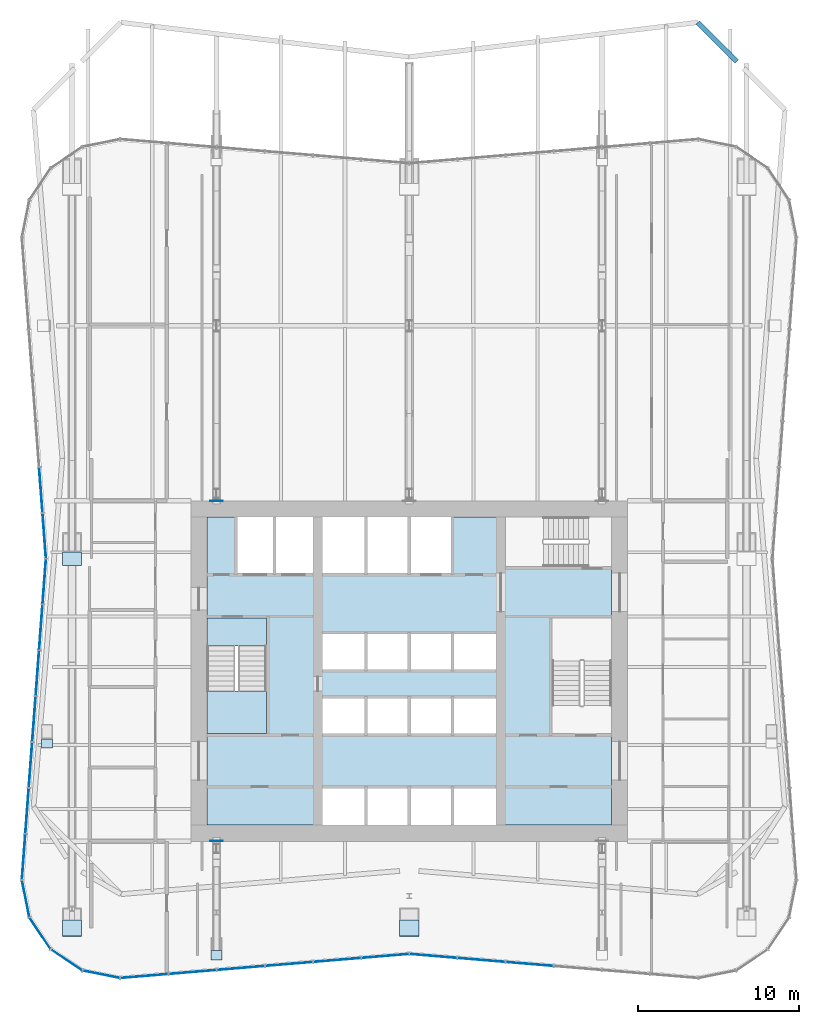
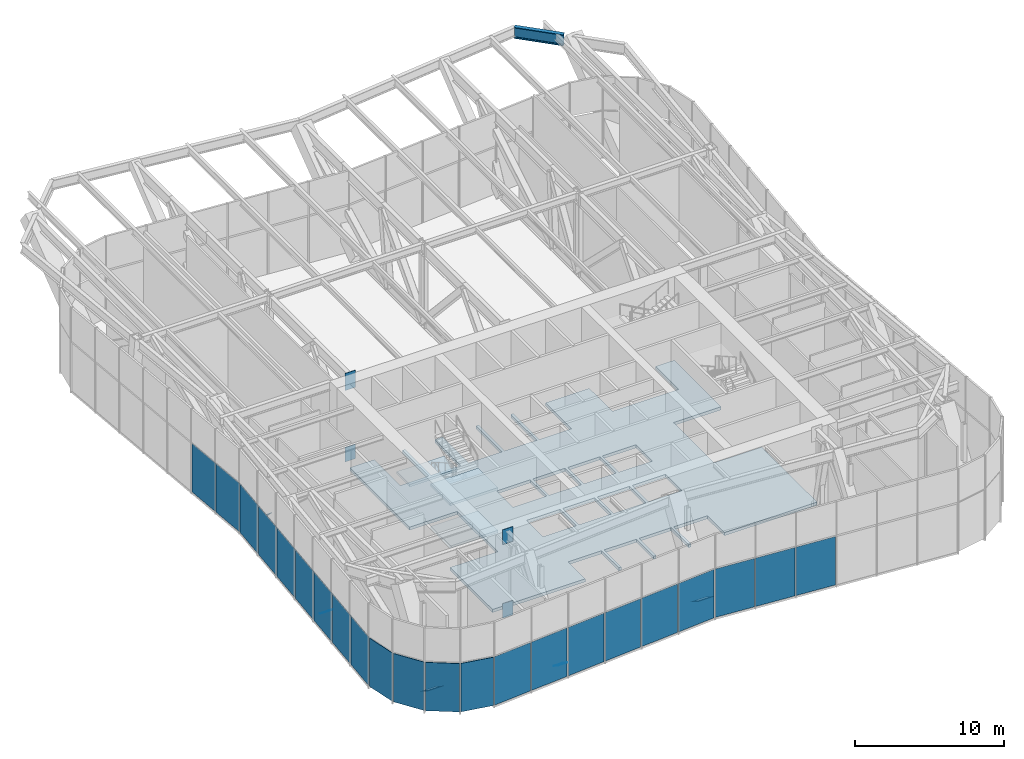
# One storey, part 8 of 16: 31 plates, 4 slabs, 1 beam, 4 elements without a shape of their own.
"""IFC4 building model written with IfcOpenShell, lengths in metres."""

from ifc_helpers import new_model, si_unit, direction, frame, origin, origin_2d, place, context, subcontext, project, spatial, polyline, rectangle, i_section, outline, extrude, material, layer, layer_set, material_profile, profile_set, type_object, element, aggregate, save


model = new_model("IFC4")

# Units and contexts
model_context = context("Model", 3, precision=1e-05, world=origin(), true_north=direction((0.0, 1.0)))
body_context = subcontext(model_context, "Body", "Model", "MODEL_VIEW")
ifc_project = project(units=[si_unit("LENGTHUNIT", "METRE"), si_unit("AREAUNIT", "SQUARE_METRE"), si_unit("VOLUMEUNIT", "CUBIC_METRE"), si_unit("PLANEANGLEUNIT", "RADIAN"), si_unit("MASSUNIT", "GRAM", prefix="KILO")], contexts=[model_context])

# Site, building, storey
site_placement = place(None, origin())
site = spatial("IfcSite", under=ifc_project, at=site_placement, CompositionType="ELEMENT")
building_placement = place(site_placement, origin())
building = spatial("IfcBuilding", under=site, at=building_placement, Name="Verdant Reach Tower", CompositionType="ELEMENT")
storey_placement = place(building_placement, frame((0.0, 0.0, 170.0)))
storey = spatial("IfcBuildingStorey", under=building, at=storey_placement, Name="L39 Plant", CompositionType="ELEMENT", Elevation=170.0)

# Beam
ifc_material_1 = material(Name="Steel S355", Category="steel")
ifc_material_profile = material_profile(ifc_material_1, i_section(OverallWidth=0.302001953125, OverallDepth=0.909912109375, WebThickness=0.02099609375, FlangeThickness=0.0400390625, FilletRadius=0.030029296875, at=origin_2d()), Name="HEM 900")
ifc_profile_set = profile_set([ifc_material_profile], Name="Steel S355")
beam_type = type_object("IfcBeamType", Name="ST-SPANDREL-HEM900", PredefinedType="SPANDREL", material=ifc_profile_set)
beam_placement = place(storey_placement, frame((17.9658203125, 68.39501953125, 6.4150390625), z_axis=(0.706858592704, -0.707354882588, 0.0), x_axis=(0.707354882588, 0.706858592704, 0.0)))
element("IfcBeam", 1, at=beam_placement, inside=storey, type_object=beam_type, Name="Edge beam, L39 Plant", PredefinedType="SPANDREL", context=body_context, shape_type="SweptSolid", body=[
    extrude(i_section(OverallWidth=0.302001953125, OverallDepth=0.909912109375, WebThickness=0.02099609375, FlangeThickness=0.0400390625, FilletRadius=0.030029296875, at=origin_2d()), origin(), (0.0, 0.0, 1.0), 3.443603515625),
])

# Stair, slabs
ifc_material_2 = material(Name="Concrete C40/50", Category="concrete")
stair_type = type_object("IfcStairType", Name="CO-STAIR", PredefinedType="HALF_TURN_STAIR", material=ifc_material_2)
stair_placement = place(storey_placement, origin())
stair = element("IfcStair", 2, at=stair_placement, inside=storey, type_object=stair_type, Name="L39 Plant Exit stair 1", PredefinedType="HALF_TURN_STAIR")
ifc_layer_1 = layer(ifc_material_2, 0.199951171875)
ifc_layer_set_1 = layer_set([ifc_layer_1], Name="CO-STAIR-LANDING")
slab_type_1 = type_object("IfcSlabType", Name="CO-STAIR-LANDING", PredefinedType="LANDING", material=ifc_layer_set_1)
slab_1_placement = place(storey_placement, frame((0.0, 0.0, 1.550048828125)))
slab_1 = element("IfcSlab", 3, at=slab_1_placement, type_object=slab_type_1, Name="ST-1 landing 1", PredefinedType="LANDING", context=body_context, shape_type="SweptSolid", body=[
    extrude(outline(polyline([(-12.60009765625, 26.760009765625), (-12.60009765625, 24.10009765625), (-8.89990234375, 24.10009765625), (-8.89990234375, 26.760009765625), (-12.60009765625, 26.760009765625)])), origin(), (0.0, 0.0, 1.0), 0.199951171875),
])
slab_2_placement = place(storey_placement, frame((0.0, 0.0, 3.300048828125)))
slab_2 = element("IfcSlab", 4, at=slab_2_placement, type_object=slab_type_1, Name="ST-1 landing 2", PredefinedType="LANDING", context=body_context, shape_type="SweptSolid", body=[
    extrude(outline(polyline([(-12.60009765625, 31.300048828125), (-12.60009765625, 29.550048828125), (-8.89990234375, 29.550048828125), (-8.89990234375, 31.300048828125), (-12.60009765625, 31.300048828125)])), origin(), (0.0, 0.0, 1.0), 0.199951171875),
])
slab_3_placement = place(storey_placement, frame((0.0, 0.0, 5.050048828125)))
slab_3 = element("IfcSlab", 5, at=slab_3_placement, type_object=slab_type_1, Name="ST-1 landing 3", PredefinedType="LANDING", context=body_context, shape_type="SweptSolid", body=[
    extrude(outline(polyline([(-12.60009765625, 26.760009765625), (-12.60009765625, 24.10009765625), (-8.89990234375, 24.10009765625), (-8.89990234375, 26.760009765625), (-12.60009765625, 26.760009765625)])), origin(), (0.0, 0.0, 1.0), 0.199951171875),
])
aggregate(stair, [slab_1, slab_2, slab_3])

# Curtain wall, plates
ifc_material_3 = material(Name="Anodised aluminium", Category="aluminium")
curtain_wall_type = type_object("IfcCurtainWallType", Name="EN-CW SYSTEM PLANT", PredefinedType="NOTDEFINED", material=ifc_material_3)
curtain_wall_1_placement = place(storey_placement, origin())
curtain_wall_1 = element("IfcCurtainWall", 6, at=curtain_wall_1_placement, inside=storey, type_object=curtain_wall_type, Name="Curtain wall west, L39", PredefinedType="NOTDEFINED")
ifc_material_4 = material(Name="Bronze anodised aluminium solid panel", Category="aluminium")
ifc_layer_2 = layer(ifc_material_4, 0.0400390625)
ifc_layer_set_2 = layer_set([ifc_layer_2], Name="EN-PANEL SOLID")
plate_type_1 = type_object("IfcPlateType", Name="EN-PANEL SOLID", PredefinedType="CURTAIN_PANEL", material=ifc_layer_set_2)
plate_1_placement = place(storey_placement, frame((-22.940185546875, 39.27685546875, -0.199951171875), z_axis=(0.0, 0.0, 1.0), x_axis=(0.074789948245, -0.997199309888, 0.0)))
plate_1 = element("IfcPlate", 7, at=plate_1_placement, type_object=plate_type_1, Name="Solid panel west face part 1 6.1, L39", PredefinedType="CURTAIN_PANEL", context=body_context, shape_type="SweptSolid", body=[
    extrude(rectangle(XDim=2.7890625, YDim=0.0400390625, at=origin_2d()), origin(), (0.0, 0.0, 1.0), 3.97509765625),
])
plate_2_placement = place(storey_placement, frame((-22.72607421875, 36.424072265625, -0.199951171875), z_axis=(0.0, 0.0, 1.0), x_axis=(0.074906305432, -0.997190576272, 0.0)))
plate_2 = element("IfcPlate", 8, at=plate_2_placement, type_object=plate_type_1, Name="Solid panel west face part 1 7.1, L39", PredefinedType="CURTAIN_PANEL", context=body_context, shape_type="SweptSolid", body=[
    extrude(rectangle(XDim=2.7802734375, YDim=0.0400390625, at=origin_2d()), origin(), (0.0, 0.0, 1.0), 3.97509765625),
])
plate_3_placement = place(storey_placement, frame((-22.72607421875, 33.575927734375, -0.199951171875), z_axis=(0.0, 0.0, 1.0), x_axis=(-0.074906305432, -0.997190576272, 0.0)))
plate_3 = element("IfcPlate", 9, at=plate_3_placement, type_object=plate_type_1, Name="Solid panel west face part 2 1.1, L39", PredefinedType="CURTAIN_PANEL", context=body_context, shape_type="SweptSolid", body=[
    extrude(rectangle(XDim=2.7802734375, YDim=0.0400390625, at=origin_2d()), origin(), (0.0, 0.0, 1.0), 3.97509765625),
])
plate_4_placement = place(storey_placement, frame((-22.940185546875, 30.72314453125, -0.199951171875), z_axis=(0.0, 0.0, 1.0), x_axis=(-0.074789948245, -0.997199309888, 0.0)))
plate_4 = element("IfcPlate", 10, at=plate_4_placement, type_object=plate_type_1, Name="Solid panel west face part 2 2.1, L39", PredefinedType="CURTAIN_PANEL", context=body_context, shape_type="SweptSolid", body=[
    extrude(rectangle(XDim=2.7890625, YDim=0.0400390625, at=origin_2d()), origin(), (0.0, 0.0, 1.0), 3.97509765625),
])
plate_5_placement = place(storey_placement, frame((-23.154296875, 27.865966796875, -0.199951171875), z_axis=(0.0, 0.0, 1.0), x_axis=(-0.074789948245, -0.997199309888, 0.0)))
plate_5 = element("IfcPlate", 11, at=plate_5_placement, type_object=plate_type_1, Name="Solid panel west face part 2 3.1, L39", PredefinedType="CURTAIN_PANEL", context=body_context, shape_type="SweptSolid", body=[
    extrude(rectangle(XDim=2.7890625, YDim=0.0400390625, at=origin_2d()), origin(), (0.0, 0.0, 1.0), 3.97509765625),
])
plate_6_placement = place(storey_placement, frame((-23.36865234375, 25.0087890625, -0.199951171875), z_axis=(0.0, 0.0, 1.0), x_axis=(-0.074789948245, -0.997199309888, 0.0)))
plate_6 = element("IfcPlate", 12, at=plate_6_placement, type_object=plate_type_1, Name="Solid panel west face part 2 4.1, L39", PredefinedType="CURTAIN_PANEL", context=body_context, shape_type="SweptSolid", body=[
    extrude(rectangle(XDim=2.7890625, YDim=0.0400390625, at=origin_2d()), origin(), (0.0, 0.0, 1.0), 3.97509765625),
])
plate_7_placement = place(storey_placement, frame((-23.5830078125, 22.15185546875, -0.199951171875), z_axis=(0.0, 0.0, 1.0), x_axis=(-0.074789948245, -0.997199309888, 0.0)))
plate_7 = element("IfcPlate", 13, at=plate_7_placement, type_object=plate_type_1, Name="Solid panel west face part 2 5.1, L39", PredefinedType="CURTAIN_PANEL", context=body_context, shape_type="SweptSolid", body=[
    extrude(rectangle(XDim=2.7890625, YDim=0.0400390625, at=origin_2d()), origin(), (0.0, 0.0, 1.0), 3.97509765625),
])
plate_8_placement = place(storey_placement, frame((-23.797119140625, 19.294677734375, -0.199951171875), z_axis=(0.0, 0.0, 1.0), x_axis=(-0.074789948245, -0.997199309888, 0.0)))
plate_8 = element("IfcPlate", 14, at=plate_8_placement, type_object=plate_type_1, Name="Solid panel west face part 2 6.1, L39", PredefinedType="CURTAIN_PANEL", context=body_context, shape_type="SweptSolid", body=[
    extrude(rectangle(XDim=2.7890625, YDim=0.0400390625, at=origin_2d()), origin(), (0.0, 0.0, 1.0), 3.97509765625),
])
plate_9_placement = place(storey_placement, frame((-24.011474609375, 16.429443359375, -0.199951171875), z_axis=(0.0, 0.0, 1.0), x_axis=(-0.074411874128, -0.997227593375, 0.0)))
plate_9 = element("IfcPlate", 15, at=plate_9_placement, type_object=plate_type_1, Name="Solid panel west face part 2 7.1, L39", PredefinedType="CURTAIN_PANEL", context=body_context, shape_type="SweptSolid", body=[
    extrude(rectangle(XDim=2.80517578125, YDim=0.0400390625, at=origin_2d()), origin(), (0.0, 0.0, 1.0), 3.97509765625),
])
aggregate(curtain_wall_1, [plate_1, plate_2, plate_3, plate_4, plate_5, plate_6, plate_7, plate_8, plate_9])

curtain_wall_2_placement = place(storey_placement, origin())
curtain_wall_2 = element("IfcCurtainWall", 16, at=curtain_wall_2_placement, inside=storey, type_object=curtain_wall_type, Name="Curtain wall south-west corner, L39", PredefinedType="NOTDEFINED")
plate_10_placement = place(storey_placement, frame((-23.885986328125, 13.82568359375, -0.199951171875), z_axis=(0.0, 0.0, 1.0), x_axis=(0.195573211056, -0.980689104211, 0.0)))
plate_10 = element("IfcPlate", 17, at=plate_10_placement, type_object=plate_type_1, Name="Solid panel south-west corner 1.1, L39", PredefinedType="CURTAIN_PANEL", context=body_context, shape_type="SweptSolid", body=[
    extrude(rectangle(XDim=2.304443359375, YDim=0.0400390625, at=origin_2d()), origin(), (0.0, 0.0, 1.0), 3.97509765625),
])
plate_11_placement = place(storey_placement, frame((-22.989990234375, 11.665771484375, -0.199951171875), z_axis=(0.0, 0.0, 1.0), x_axis=(0.555596466265, -0.83145208321, 0.0)))
plate_11 = element("IfcPlate", 18, at=plate_11_placement, type_object=plate_type_1, Name="Solid panel south-west corner 2.1, L39", PredefinedType="CURTAIN_PANEL", context=body_context, shape_type="SweptSolid", body=[
    extrude(rectangle(XDim=2.3115234375, YDim=0.0400390625, at=origin_2d()), origin(), (0.0, 0.0, 1.0), 3.97509765625),
])
plate_12_placement = place(storey_placement, frame((-21.334228515625, 10.010009765625, -0.199951171875), z_axis=(0.0, 0.0, 1.0), x_axis=(0.83145208321, -0.555596466265, 0.0)))
plate_12 = element("IfcPlate", 19, at=plate_12_placement, type_object=plate_type_1, Name="Solid panel south-west corner 3.1, L39", PredefinedType="CURTAIN_PANEL", context=body_context, shape_type="SweptSolid", body=[
    extrude(rectangle(XDim=2.3115234375, YDim=0.0400390625, at=origin_2d()), origin(), (0.0, 0.0, 1.0), 3.97509765625),
])
plate_13_placement = place(storey_placement, frame((-19.174072265625, 9.114013671875, -0.199951171875), z_axis=(0.0, 0.0, 1.0), x_axis=(0.980694678629, -0.195545256419, 0.0)))
plate_13 = element("IfcPlate", 20, at=plate_13_placement, type_object=plate_type_1, Name="Solid panel south-west corner 4.1, L39", PredefinedType="CURTAIN_PANEL", context=body_context, shape_type="SweptSolid", body=[
    extrude(rectangle(XDim=2.304931640625, YDim=0.0400390625, at=origin_2d()), origin(), (0.0, 0.0, 1.0), 3.97509765625),
])
aggregate(curtain_wall_2, [plate_10, plate_11, plate_12, plate_13])

curtain_wall_3_placement = place(storey_placement, origin())
curtain_wall_3 = element("IfcCurtainWall", 21, at=curtain_wall_3_placement, inside=storey, type_object=curtain_wall_type, Name="Curtain wall south, L39", PredefinedType="NOTDEFINED")
plate_14_placement = place(storey_placement, frame((-16.49853515625, 9.00634765625, -0.199951171875), z_axis=(0.0, 0.0, 1.0), x_axis=(0.996577509664, 0.082663578629, 0.0)))
plate_14 = element("IfcPlate", 22, at=plate_14_placement, type_object=plate_type_1, Name="Solid panel south face part 1 1.1, L39", PredefinedType="CURTAIN_PANEL", context=body_context, shape_type="SweptSolid", body=[
    extrude(rectangle(XDim=2.950927734375, YDim=0.0400390625, at=origin_2d()), origin(), (0.0, 0.0, 1.0), 3.97509765625),
])
plate_15_placement = place(storey_placement, frame((-13.490234375, 9.25634765625, -0.199951171875), z_axis=(0.0, 0.0, 1.0), x_axis=(0.996545758244, 0.083045479859, 0.0)))
plate_15 = element("IfcPlate", 23, at=plate_15_placement, type_object=plate_type_1, Name="Solid panel south face part 1 2.1, L39", PredefinedType="CURTAIN_PANEL", context=body_context, shape_type="SweptSolid", body=[
    extrude(rectangle(XDim=2.934326171875, YDim=0.0400390625, at=origin_2d()), origin(), (0.0, 0.0, 1.0), 3.97509765625),
])
plate_16_placement = place(storey_placement, frame((-10.490234375, 9.50634765625, -0.199951171875), z_axis=(0.0, 0.0, 1.0), x_axis=(0.996545758244, 0.083045479859, 0.0)))
plate_16 = element("IfcPlate", 24, at=plate_16_placement, type_object=plate_type_1, Name="Solid panel south face part 1 3.1, L39", PredefinedType="CURTAIN_PANEL", context=body_context, shape_type="SweptSolid", body=[
    extrude(rectangle(XDim=2.934326171875, YDim=0.0400390625, at=origin_2d()), origin(), (0.0, 0.0, 1.0), 3.97509765625),
])
plate_17_placement = place(storey_placement, frame((-7.490234375, 9.75634765625, -0.199951171875), z_axis=(0.0, 0.0, 1.0), x_axis=(0.996545758244, 0.083045479859, 0.0)))
plate_17 = element("IfcPlate", 25, at=plate_17_placement, type_object=plate_type_1, Name="Solid panel south face part 1 4.1, L39", PredefinedType="CURTAIN_PANEL", context=body_context, shape_type="SweptSolid", body=[
    extrude(rectangle(XDim=2.934326171875, YDim=0.0400390625, at=origin_2d()), origin(), (0.0, 0.0, 1.0), 3.97509765625),
])
plate_18_placement = place(storey_placement, frame((-4.490234375, 10.00634765625, -0.199951171875), z_axis=(0.0, 0.0, 1.0), x_axis=(0.996545758244, 0.083045479859, 0.0)))
plate_18 = element("IfcPlate", 26, at=plate_18_placement, type_object=plate_type_1, Name="Solid panel south face part 1 5.1, L39", PredefinedType="CURTAIN_PANEL", context=body_context, shape_type="SweptSolid", body=[
    extrude(rectangle(XDim=2.934326171875, YDim=0.0400390625, at=origin_2d()), origin(), (0.0, 0.0, 1.0), 3.97509765625),
])
plate_19_placement = place(storey_placement, frame((-1.4951171875, 10.256103515625, -0.199951171875), z_axis=(0.0, 0.0, 1.0), x_axis=(0.996534372104, 0.083182000546, 0.0)))
plate_19 = element("IfcPlate", 27, at=plate_19_placement, type_object=plate_type_1, Name="Solid panel south face part 1 6.1, L39", PredefinedType="CURTAIN_PANEL", context=body_context, shape_type="SweptSolid", body=[
    extrude(rectangle(XDim=2.924560546875, YDim=0.0400390625, at=origin_2d()), origin(), (0.0, 0.0, 1.0), 3.97509765625),
])
plate_20_placement = place(storey_placement, frame((1.4951171875, 10.256103515625, -0.199951171875), z_axis=(0.0, 0.0, 1.0), x_axis=(0.996534372104, -0.083182000546, 0.0)))
plate_20 = element("IfcPlate", 28, at=plate_20_placement, type_object=plate_type_1, Name="Solid panel south face part 2 1.1, L39", PredefinedType="CURTAIN_PANEL", context=body_context, shape_type="SweptSolid", body=[
    extrude(rectangle(XDim=2.924560546875, YDim=0.0400390625, at=origin_2d()), origin(), (0.0, 0.0, 1.0), 3.97509765625),
])
plate_21_placement = place(storey_placement, frame((4.490234375, 10.00634765625, -0.199951171875), z_axis=(0.0, 0.0, 1.0), x_axis=(0.996545758244, -0.083045479859, 0.0)))
plate_21 = element("IfcPlate", 29, at=plate_21_placement, type_object=plate_type_1, Name="Solid panel south face part 2 2.1, L39", PredefinedType="CURTAIN_PANEL", context=body_context, shape_type="SweptSolid", body=[
    extrude(rectangle(XDim=2.934326171875, YDim=0.0400390625, at=origin_2d()), origin(), (0.0, 0.0, 1.0), 3.97509765625),
])
plate_22_placement = place(storey_placement, frame((7.490234375, 9.75634765625, -0.199951171875), z_axis=(0.0, 0.0, 1.0), x_axis=(0.996545758244, -0.083045479859, 0.0)))
plate_22 = element("IfcPlate", 30, at=plate_22_placement, type_object=plate_type_1, Name="Solid panel south face part 2 3.1, L39", PredefinedType="CURTAIN_PANEL", context=body_context, shape_type="SweptSolid", body=[
    extrude(rectangle(XDim=2.934326171875, YDim=0.0400390625, at=origin_2d()), origin(), (0.0, 0.0, 1.0), 3.97509765625),
])
aggregate(curtain_wall_3, [plate_14, plate_15, plate_16, plate_17, plate_18, plate_19, plate_20, plate_21, plate_22])

# Plates
ifc_material_5 = material(Name="Steel S460", Category="steel")
ifc_layer_3 = layer(ifc_material_5, 0.030029296875)
ifc_layer_set_3 = layer_set([ifc_layer_3], Name="ST-PLATE-CASTIN30")
plate_type_2 = type_object("IfcPlateType", Name="ST-PLATE-CASTIN30", PredefinedType="SHEET", material=ifc_layer_set_3)
plate_23_placement = place(storey_placement, frame((-12.0, 38.5849609375, -0.19287109375), z_axis=(0.0, 0.0, 1.0), x_axis=(1.0, 0.0, 0.0)))
element("IfcPlate", 31, at=plate_23_placement, inside=storey, type_object=plate_type_2, Name="CAST-IN PLATE, outrigger truss C north bottom chord, L39 Plant", PredefinedType="SHEET", context=body_context, shape_type="SweptSolid", body=[
    extrude(rectangle(XDim=0.800048828125, YDim=0.030029296875, at=origin_2d()), origin(), (0.0, 0.0, 1.0), 1.199951171875),
])
plate_24_placement = place(storey_placement, frame((-12.0, 38.5849609375, 5.662109375), z_axis=(0.0, 0.0, 1.0), x_axis=(1.0, 0.0, 0.0)))
element("IfcPlate", 32, at=plate_24_placement, inside=storey, type_object=plate_type_2, Name="CAST-IN PLATE, outrigger truss C north top chord, L39 Plant", PredefinedType="SHEET", context=body_context, shape_type="SweptSolid", body=[
    extrude(rectangle(XDim=0.800048828125, YDim=0.030029296875, at=origin_2d()), origin(), (0.0, 0.0, 1.0), 1.407958984375),
])
plate_25_placement = place(storey_placement, frame((-12.0, 17.4150390625, -0.19287109375), z_axis=(0.0, 0.0, 1.0), x_axis=(1.0, 0.0, 0.0)))
element("IfcPlate", 33, at=plate_25_placement, inside=storey, type_object=plate_type_2, Name="CAST-IN PLATE, outrigger truss C south bottom chord, L39 Plant", PredefinedType="SHEET", context=body_context, shape_type="SweptSolid", body=[
    extrude(rectangle(XDim=0.800048828125, YDim=0.030029296875, at=origin_2d()), origin(), (0.0, 0.0, 1.0), 1.199951171875),
])
plate_26_placement = place(storey_placement, frame((-12.0, 17.4150390625, 5.85595703125), z_axis=(0.0, 0.0, 1.0), x_axis=(1.0, 0.0, 0.0)))
element("IfcPlate", 34, at=plate_26_placement, inside=storey, type_object=plate_type_2, Name="CAST-IN PLATE, outrigger truss C south top chord, L39 Plant", PredefinedType="SHEET", context=body_context, shape_type="SweptSolid", body=[
    extrude(rectangle(XDim=0.800048828125, YDim=0.030029296875, at=origin_2d()), origin(), (0.0, 0.0, 1.0), 1.214111328125),
])
ifc_layer_4 = layer(ifc_material_5, 0.02001953125)
ifc_layer_set_4 = layer_set([ifc_layer_4], Name="ST-PLATE-END20")
plate_type_3 = type_object("IfcPlateType", Name="ST-PLATE-END20", PredefinedType="SHEET", material=ifc_layer_set_4)
for number, where, z_axis, x_axis, name in (
    (35, (0.0, 11.9892578125, 0.328369140625), (0.0, 0.537665941617, 0.8431579539), (-1.0, 0.0, 0.0), "Cap plate, mega column south, L39 Plant"),
    (36, (-21.0, 11.9892578125, 0.328369140625), (0.0, 0.537665941617, 0.8431579539), (-1.0, 0.0, 0.0), "Cap plate, mega column south-west, L39 Plant"),
):
    element("IfcPlate", number, at=place(storey_placement, frame(where, z_axis=z_axis, x_axis=x_axis)), inside=storey, type_object=plate_type_3, Name=name, PredefinedType="SHEET", context=body_context, shape_type="SweptSolid", body=[
        extrude(rectangle(XDim=1.199951171875, YDim=1.199951171875, at=origin_2d()), origin(), (0.0, 0.0, 1.0), 0.02001953125),
    ])
plate_27_placement = place(storey_placement, frame((-21.0, 34.985595703125, 0.431884765625), z_axis=(0.0, 0.713124382013, 0.701037528081), x_axis=(-1.0, 0.0, 0.0)))
element("IfcPlate", 37, at=plate_27_placement, inside=storey, type_object=plate_type_3, Name="Cap plate, mega column west, L39 Plant", PredefinedType="SHEET", context=body_context, shape_type="SweptSolid", body=[
    extrude(rectangle(XDim=1.199951171875, YDim=1.199951171875, at=origin_2d()), origin(), (0.0, 0.0, 1.0), 0.020263671875),
])
for number, where, z_axis, x_axis, name in (
    (38, (-12.0, 10.288818359375, 0.208984375), (0.0, 0.560309367704, 0.828283413128), (-1.0, 0.0, 0.0), "Cap plate, perimeter column south 1, L39 Plant"),
    (39, (-22.5625, 23.48779296875, 0.224609375), (0.0, 0.60971076085, 0.792623989105), (-1.0, 0.0, 0.0), "Cap plate, perimeter column west 1, L39 Plant"),
):
    element("IfcPlate", number, at=place(storey_placement, frame(where, z_axis=z_axis, x_axis=x_axis)), inside=storey, type_object=plate_type_3, Name=name, PredefinedType="SHEET", context=body_context, shape_type="SweptSolid", body=[
        extrude(rectangle(XDim=0.699951171875, YDim=0.699951171875, at=origin_2d()), origin(), (0.0, 0.0, 1.0), 0.02001953125),
    ])

# Slab
ifc_material_6 = material(Name="Concrete C35/45", Category="concrete")
ifc_layer_5 = layer(ifc_material_6, 0.25)
ifc_layer_set_5 = layer_set([ifc_layer_5], Name="ST-SLAB-250")
slab_type_2 = type_object("IfcSlabType", Name="ST-SLAB-250", PredefinedType="FLOOR", material=ifc_layer_set_5)
slab_4_placement = place(storey_placement, frame((0.0, 0.0, -0.25)))
element("IfcSlab", 40, at=slab_4_placement, inside=storey, type_object=slab_type_2, Name="Core floor slab L39 Plant", PredefinedType="FLOOR", context=body_context, shape_type="SweptSolid", body=[
    extrude(outline(polyline([(12.60009765625, 18.39990234375), (5.39990234375, 18.39990234375), (5.39990234375, 20.699951171875), (2.800048828125, 20.699951171875), (2.800048828125, 18.39990234375), (2.60009765625, 18.39990234375), (2.60009765625, 20.699951171875), (0.10009765625, 20.699951171875), (0.10009765625, 18.39990234375), (-0.10009765625, 18.39990234375), (-0.10009765625, 20.699951171875), (-2.60009765625, 20.699951171875), (-2.60009765625, 18.39990234375), (-2.800048828125, 18.39990234375), (-2.800048828125, 20.699951171875), (-5.39990234375, 20.699951171875), (-5.39990234375, 18.39990234375), (-12.60009765625, 18.39990234375), (-12.60009765625, 24.10009765625), (-8.89990234375, 24.10009765625), (-8.89990234375, 29.548095703125), (-12.60009765625, 29.548095703125), (-12.60009765625, 37.60009765625), (-10.699951171875, 37.60009765625), (-10.699951171875, 34.10009765625), (-8.5, 34.10009765625), (-8.5, 37.60009765625), (-8.300048828125, 37.60009765625), (-8.300048828125, 34.10009765625), (-6.0, 34.10009765625), (-6.0, 37.60009765625), (-5.39990234375, 37.60009765625), (-5.39990234375, 34.10009765625), (-2.800048828125, 34.10009765625), (-2.800048828125, 37.60009765625), (-2.60009765625, 37.60009765625), (-2.60009765625, 34.10009765625), (-0.10009765625, 34.10009765625), (-0.10009765625, 37.60009765625), (0.10009765625, 37.60009765625), (0.10009765625, 34.10009765625), (2.60009765625, 34.10009765625), (2.60009765625, 37.60009765625), (6.0, 37.60009765625), (6.0, 34.5), (11.14794921875, 34.5), (11.14794921875, 37.60009765625), (12.60009765625, 37.60009765625), (12.60009765625, 31.300048828125), (8.89990234375, 31.300048828125), (8.89990234375, 25.85205078125), (12.60009765625, 25.85205078125), (12.60009765625, 18.39990234375)]), holes=[polyline([(-2.800048828125, 24.10009765625), (-2.800048828125, 26.300048828125), (-5.39990234375, 26.300048828125), (-5.39990234375, 24.10009765625), (-2.800048828125, 24.10009765625)]), polyline([(-2.60009765625, 24.10009765625), (-0.10009765625, 24.10009765625), (-0.10009765625, 26.300048828125), (-2.60009765625, 26.300048828125), (-2.60009765625, 24.10009765625)]), polyline([(-2.800048828125, 28.10009765625), (-2.800048828125, 30.300048828125), (-5.39990234375, 30.300048828125), (-5.39990234375, 28.10009765625), (-2.800048828125, 28.10009765625)]), polyline([(-0.10009765625, 28.10009765625), (-0.10009765625, 30.300048828125), (-2.60009765625, 30.300048828125), (-2.60009765625, 28.10009765625), (-0.10009765625, 28.10009765625)]), polyline([(2.60009765625, 24.10009765625), (2.60009765625, 26.300048828125), (0.10009765625, 26.300048828125), (0.10009765625, 24.10009765625), (2.60009765625, 24.10009765625)]), polyline([(2.800048828125, 24.10009765625), (5.39990234375, 24.10009765625), (5.39990234375, 26.300048828125), (2.800048828125, 26.300048828125), (2.800048828125, 24.10009765625)]), polyline([(2.60009765625, 28.10009765625), (2.60009765625, 30.300048828125), (0.10009765625, 30.300048828125), (0.10009765625, 28.10009765625), (2.60009765625, 28.10009765625)]), polyline([(5.39990234375, 28.10009765625), (5.39990234375, 30.300048828125), (2.800048828125, 30.300048828125), (2.800048828125, 28.10009765625), (5.39990234375, 28.10009765625)])]), origin(), (0.0, 0.0, 1.0), 0.25),
])

save(model, "model.ifc")
